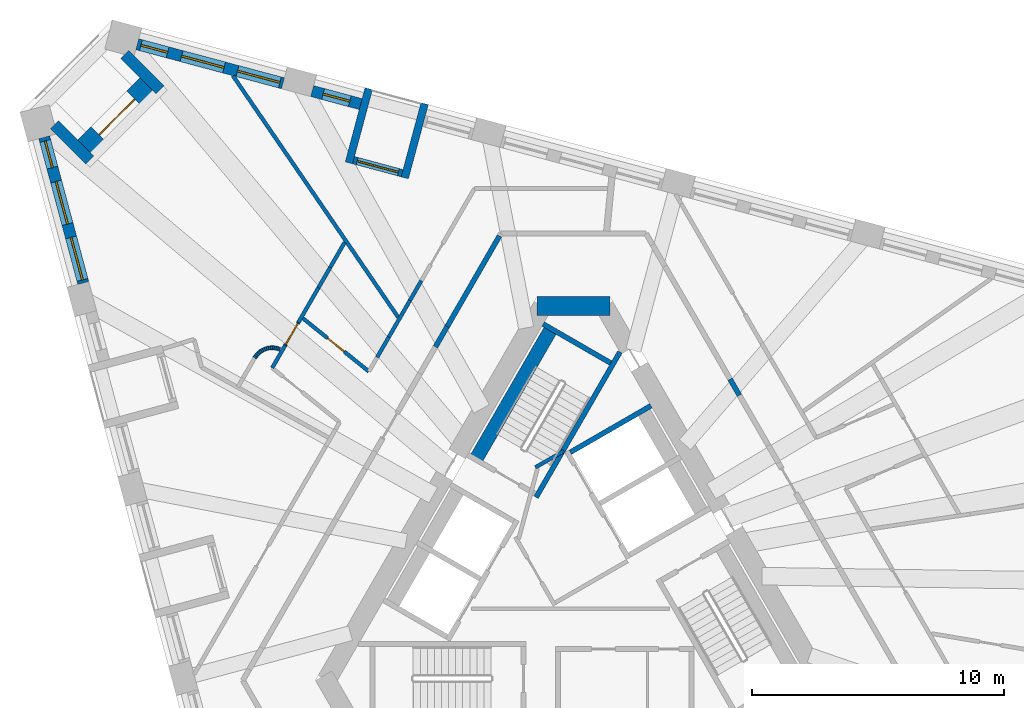
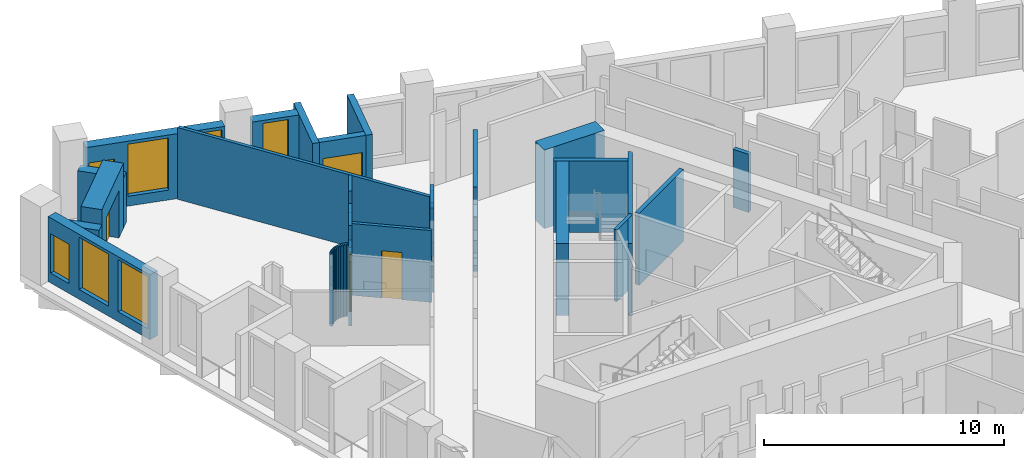
# One storey, part 7 of 13: 43 walls, 7 windows, 4 doors, 11 openings.
"""IFC4 building model written with IfcOpenShell, lengths in metres."""

from ifc_helpers import new_model, si_unit, direction, frame, frame_2d, origin, place, context, subcontext, project, spatial, rectangle, extrude, material, layer, layer_set, type_object, element, fill, save


model = new_model("IFC4")

# Units and contexts
model_context = context("Model", 3, precision=1e-05, world=origin(), true_north=direction((0.0, 1.0)))
body_context = subcontext(model_context, "Body", "Model", "MODEL_VIEW")
ifc_project = project(units=[si_unit("LENGTHUNIT", "METRE"), si_unit("AREAUNIT", "SQUARE_METRE"), si_unit("VOLUMEUNIT", "CUBIC_METRE"), si_unit("PLANEANGLEUNIT", "RADIAN"), si_unit("MASSUNIT", "GRAM", prefix="KILO")], contexts=[model_context])

# Site, building, storey
site_placement = place(None, origin())
site = spatial("IfcSite", under=ifc_project, at=site_placement, CompositionType="ELEMENT")
building_placement = place(site_placement, origin())
building = spatial("IfcBuilding", under=site, at=building_placement, Name="Tramontana Tower", CompositionType="ELEMENT")
storey_placement = place(building_placement, frame((0.0, 0.0, 220.0)))
storey = spatial("IfcBuildingStorey", under=building, at=storey_placement, Name="L51", CompositionType="ELEMENT", Elevation=220.0)

# Walls
ifc_material_1 = material(Name="Concrete 70 MPa", Category="concrete")
ifc_layer_1 = layer(ifc_material_1, 0.75)
ifc_layer_set_1 = layer_set([ifc_layer_1], Name="Core wall 750 70 MPa")
wall_type_1 = type_object("IfcWallType", Name="Core wall 750 70 MPa", PredefinedType="SHEAR", material=ifc_layer_set_1)
wall_1_placement = place(storey_placement, frame((1.443359375, 10.625, 0.0), z_axis=(0.0, 0.0, 1.0), x_axis=(-1.0, 0.0, 0.0)))
element("IfcWall", 1, at=wall_1_placement, inside=storey, type_object=wall_type_1, Name="Core wall C0 L51", PredefinedType="SHEAR", context=body_context, shape_type="SweptSolid", body=[
    extrude(rectangle(XDim=2.88671875, YDim=0.75, at=frame_2d((1.443359375, 0.0))), origin(), (0.0, 0.0, 1.0), 4.0),
])
ifc_material_2 = material(Name="Blockwork", Category="masonry")
ifc_layer_2 = layer(ifc_material_2, 0.199951171875)
ifc_layer_set_2 = layer_set([ifc_layer_2], Name="ENTRY WALL 200")
wall_type_2 = type_object("IfcWallType", Name="ENTRY WALL 200", PredefinedType="SOLIDWALL", material=ifc_layer_set_2)
wall_2_placement = place(storey_placement, frame((6.22412109375, 7.719482421875, 0.0), z_axis=(0.0, 0.0, 1.0), x_axis=(0.499931655587, -0.866064858854, 0.0)))
element("IfcWall", 2, at=wall_2_placement, inside=storey, type_object=wall_type_2, Name="Wall v51-ew0-3", PredefinedType="SOLIDWALL", context=body_context, shape_type="SweptSolid", body=[
    extrude(rectangle(XDim=0.74072265625, YDim=0.199951171875, at=frame_2d((0.370361328125, 0.0))), origin(), (0.0, 0.0, 1.0), 2.949951171875),
])
wall_3_placement = place(storey_placement, frame((-5.482666015625, 9.003662109375, 0.0), z_axis=(0.0, 0.0, 1.0), x_axis=(0.499971966783, 0.866041588165, 0.0)))
element("IfcWall", 3, at=wall_3_placement, inside=storey, type_object=wall_type_2, Name="Wall v51-ew4-11", PredefinedType="SOLIDWALL", context=body_context, shape_type="SweptSolid", body=[
    extrude(rectangle(XDim=0.931640625, YDim=0.199951171875, at=frame_2d((0.4658203125, 0.0))), origin(), (0.0, 0.0, 1.0), 2.75),
])
wall_4_placement = place(storey_placement, frame((-5.016845703125, 9.810546875, 0.0), z_axis=(0.0, 0.0, 1.0), x_axis=(0.499993700073, 0.866029041019, 0.0)))
element("IfcWall", 4, at=wall_4_placement, inside=storey, type_object=wall_type_2, Name="Wall v51-ew4-12", PredefinedType="SOLIDWALL", context=body_context, shape_type="SweptSolid", body=[
    extrude(rectangle(XDim=4.1552734375, YDim=0.199951171875, at=frame_2d((2.07763671875, 0.0))), origin(), (0.0, 0.0, 1.0), 3.64990234375),
])

# Wall, openings, windows
ifc_material_3 = material(Name="Precast concrete 60 MPa", Category="concrete")
ifc_layer_3 = layer(ifc_material_3, 0.449951171875)
ifc_layer_set_3 = layer_set([ifc_layer_3], Name="Precast concrete 60 MPa, 450 mm")
wall_type_3 = type_object("IfcWallType", Name="EW1 Stone-faced precast wall 450", PredefinedType="SOLIDWALL", material=ifc_layer_set_3)
wall_5_placement = place(storey_placement, frame((-21.027099609375, 17.3310546875, 0.0), z_axis=(0.0, 0.0, 1.0), x_axis=(0.258831089404, -0.965922598948, 0.0)))
wall_5 = element("IfcWall", 5, at=wall_5_placement, inside=storey, type_object=wall_type_3, Name="External wall L51 face 0 bay 1", PredefinedType="SOLIDWALL", context=body_context, shape_type="SweptSolid", body=[
    extrude(rectangle(XDim=5.994384765625, YDim=0.449951171875, at=frame_2d((2.9970703125, 0.0))), origin(), (0.0, 0.0, 1.0), 3.300048828125),
])
opening_1_placement = place(wall_5_placement, frame((0.14892578125, 0.0, 0.5)))
opening_1 = element("IfcOpeningElement", 6, at=opening_1_placement, cuts=wall_5, Name="Opening N2L", PredefinedType="OPENING", context=body_context, shape_type="SweptSolid", body=[
    extrude(rectangle(XDim=1.10009765625, YDim=2.0, at=frame_2d((0.550048828125, 1.0))), frame((0.0, 0.23486328125, 0.0), z_axis=(0.0, -1.0, 0.0), x_axis=(1.0, 0.0, 0.0)), (0.0, 0.0, 1.0), 0.469970703125),
])
opening_2_placement = place(wall_5_placement, frame((1.822021484375, 0.0, 0.5)))
opening_2 = element("IfcOpeningElement", 7, at=opening_2_placement, cuts=wall_5, Name="Opening M2", PredefinedType="OPENING", context=body_context, shape_type="SweptSolid", body=[
    extrude(rectangle(XDim=1.75, YDim=2.64990234375, at=frame_2d((0.875, 1.324951171875))), frame((0.0, 0.23486328125, 0.0), z_axis=(0.0, -1.0, 0.0), x_axis=(1.0, 0.0, 0.0)), (0.0, 0.0, 1.0), 0.469970703125),
])
opening_3_placement = place(wall_5_placement, frame((4.1201171875, 0.0, 0.5)))
opening_3 = element("IfcOpeningElement", 8, at=opening_3_placement, cuts=wall_5, Name="Opening M2", PredefinedType="OPENING", context=body_context, shape_type="SweptSolid", body=[
    extrude(rectangle(XDim=1.75, YDim=2.64990234375, at=frame_2d((0.875, 1.324951171875))), frame((0.0, 0.23486328125, 0.0), z_axis=(0.0, -1.0, 0.0), x_axis=(1.0, 0.0, 0.0)), (0.0, 0.0, 1.0), 0.469970703125),
])
ifc_material_4 = material(Name="Aluminum frame, double glazing unit", Category="aluminium")
window_type_1 = type_object("IfcWindowType", Name="M2 Window 1.75 x 2.65", PartitioningType="SINGLE_PANEL", PredefinedType="WINDOW", material=ifc_material_4)
window_1_placement = place(opening_2_placement, origin())
window_1 = element("IfcWindow", 9, at=window_1_placement, inside=storey, type_object=window_type_1, Name="Window M2 L51 face 0 module 2", OverallHeight=2.64990234375, OverallWidth=1.75, PartitioningType="SINGLE_PANEL", PredefinedType="WINDOW", context=body_context, shape_type="SweptSolid", body=[
    extrude(rectangle(XDim=1.75, YDim=2.64990234375, at=frame_2d((0.875, 1.324951171875))), frame((0.0, 0.030029296875, 0.0), z_axis=(0.0, -1.0, 0.0), x_axis=(1.0, 0.0, 0.0)), (0.0, 0.0, 1.0), 0.06005859375),
])
fill(opening_2, window_1)
window_2_placement = place(opening_3_placement, origin())
window_2 = element("IfcWindow", 10, at=window_2_placement, inside=storey, type_object=window_type_1, Name="Window M2 L51 face 0 module 3", OverallHeight=2.64990234375, OverallWidth=1.75, PartitioningType="SINGLE_PANEL", PredefinedType="WINDOW", context=body_context, shape_type="SweptSolid", body=[
    extrude(rectangle(XDim=1.75, YDim=2.64990234375, at=frame_2d((0.875, 1.324951171875))), frame((0.0, 0.030029296875, 0.0), z_axis=(0.0, -1.0, 0.0), x_axis=(1.0, 0.0, 0.0)), (0.0, 0.0, 1.0), 0.06005859375),
])
fill(opening_3, window_2)
ifc_material_5 = material(Name="Aluminum frame, double glazing unit", Category="aluminium")
window_type_2 = type_object("IfcWindowType", Name="N2L Window 1.1 x 2", PartitioningType="SINGLE_PANEL", PredefinedType="WINDOW", material=ifc_material_5)
window_3_placement = place(opening_1_placement, origin())
window_3 = element("IfcWindow", 11, at=window_3_placement, inside=storey, type_object=window_type_2, Name="Window N2L L51 face 0 module 1", OverallHeight=2.0, OverallWidth=1.10009765625, PartitioningType="SINGLE_PANEL", PredefinedType="WINDOW", context=body_context, shape_type="SweptSolid", body=[
    extrude(rectangle(XDim=1.10009765625, YDim=2.0, at=frame_2d((0.550048828125, 1.0))), frame((0.0, 0.030029296875, 0.0), z_axis=(0.0, -1.0, 0.0), x_axis=(1.0, 0.0, 0.0)), (0.0, 0.0, 1.0), 0.06005859375),
])
fill(opening_1, window_3)

# Wall, opening, window
wall_6_placement = place(storey_placement, frame((-8.451904296875, 18.64794921875, 0.0), z_axis=(0.0, 0.0, 1.0), x_axis=(-0.96593005298, 0.258803270362, 0.0)))
wall_6 = element("IfcWall", 12, at=wall_6_placement, inside=storey, type_object=wall_type_3, Name="External wall L51 face 2 bay 5", PredefinedType="SOLIDWALL", context=body_context, shape_type="SweptSolid", body=[
    extrude(rectangle(XDim=1.998046875, YDim=0.449951171875, at=frame_2d((0.9990234375, 0.0))), origin(), (0.0, 0.0, 1.0), 3.300048828125),
])
opening_4_placement = place(wall_6_placement, frame((0.448974609375, 0.0, 0.5)))
opening_4 = element("IfcOpeningElement", 13, at=opening_4_placement, cuts=wall_6, Name="Opening N2", PredefinedType="OPENING", context=body_context, shape_type="SweptSolid", body=[
    extrude(rectangle(XDim=1.10009765625, YDim=2.64990234375, at=frame_2d((0.550048828125, 1.324951171875))), frame((0.0, 0.23486328125, 0.0), z_axis=(0.0, -1.0, 0.0), x_axis=(1.0, 0.0, 0.0)), (0.0, 0.0, 1.0), 0.469970703125),
])
ifc_material_6 = material(Name="Aluminum frame, double glazing unit", Category="aluminium")
window_type_3 = type_object("IfcWindowType", Name="N2 Window 1.1 x 2.65", PartitioningType="SINGLE_PANEL", PredefinedType="WINDOW", material=ifc_material_6)
window_4_placement = place(opening_4_placement, origin())
window_4 = element("IfcWindow", 14, at=window_4_placement, inside=storey, type_object=window_type_3, Name="Window N2 L51 face 2 module 15", OverallHeight=2.64990234375, OverallWidth=1.10009765625, PartitioningType="SINGLE_PANEL", PredefinedType="WINDOW", context=body_context, shape_type="SweptSolid", body=[
    extrude(rectangle(XDim=1.10009765625, YDim=2.64990234375, at=frame_2d((0.550048828125, 1.324951171875))), frame((0.0, 0.030029296875, 0.0), z_axis=(0.0, -1.0, 0.0), x_axis=(1.0, 0.0, 0.0)), (0.0, 0.0, 1.0), 0.06005859375),
])
fill(opening_4, window_4)

# Wall, openings, windows
wall_7_placement = place(storey_placement, frame((-11.541015625, 19.4755859375, 0.0), z_axis=(0.0, 0.0, 1.0), x_axis=(-0.965922598948, 0.258831089404, 0.0)))
wall_7 = element("IfcWall", 15, at=wall_7_placement, inside=storey, type_object=wall_type_3, Name="External wall L51 face 2 bay 6", PredefinedType="SOLIDWALL", context=body_context, shape_type="SweptSolid", body=[
    extrude(rectangle(XDim=5.994384765625, YDim=0.449951171875, at=frame_2d((2.9970703125, 0.0))), origin(), (0.0, 0.0, 1.0), 3.300048828125),
])
opening_5_placement = place(wall_7_placement, frame((0.1240234375, 0.0, 0.5)))
opening_5 = element("IfcOpeningElement", 16, at=opening_5_placement, cuts=wall_7, Name="Opening M2", PredefinedType="OPENING", context=body_context, shape_type="SweptSolid", body=[
    extrude(rectangle(XDim=1.75, YDim=2.64990234375, at=frame_2d((0.875, 1.324951171875))), frame((0.0, 0.23486328125, 0.0), z_axis=(0.0, -1.0, 0.0), x_axis=(1.0, 0.0, 0.0)), (0.0, 0.0, 1.0), 0.469970703125),
])
opening_6_placement = place(wall_7_placement, frame((2.422119140625, 0.0, 0.5)))
opening_6 = element("IfcOpeningElement", 17, at=opening_6_placement, cuts=wall_7, Name="Opening M2", PredefinedType="OPENING", context=body_context, shape_type="SweptSolid", body=[
    extrude(rectangle(XDim=1.75, YDim=2.64990234375, at=frame_2d((0.875, 1.324951171875))), frame((0.0, 0.23486328125, 0.0), z_axis=(0.0, -1.0, 0.0), x_axis=(1.0, 0.0, 0.0)), (0.0, 0.0, 1.0), 0.469970703125),
])
opening_7_placement = place(wall_7_placement, frame((4.7451171875, 0.0, 0.5)))
opening_7 = element("IfcOpeningElement", 18, at=opening_7_placement, cuts=wall_7, Name="Opening N2L", PredefinedType="OPENING", context=body_context, shape_type="SweptSolid", body=[
    extrude(rectangle(XDim=1.10009765625, YDim=2.0, at=frame_2d((0.550048828125, 1.0))), frame((0.0, 0.23486328125, 0.0), z_axis=(0.0, -1.0, 0.0), x_axis=(1.0, 0.0, 0.0)), (0.0, 0.0, 1.0), 0.469970703125),
])
window_5_placement = place(opening_5_placement, origin())
window_5 = element("IfcWindow", 19, at=window_5_placement, inside=storey, type_object=window_type_1, Name="Window M2 L51 face 2 module 16", OverallHeight=2.64990234375, OverallWidth=1.75, PartitioningType="SINGLE_PANEL", PredefinedType="WINDOW", context=body_context, shape_type="SweptSolid", body=[
    extrude(rectangle(XDim=1.75, YDim=2.64990234375, at=frame_2d((0.875, 1.324951171875))), frame((0.0, 0.030029296875, 0.0), z_axis=(0.0, -1.0, 0.0), x_axis=(1.0, 0.0, 0.0)), (0.0, 0.0, 1.0), 0.06005859375),
])
fill(opening_5, window_5)
window_6_placement = place(opening_6_placement, origin())
window_6 = element("IfcWindow", 20, at=window_6_placement, inside=storey, type_object=window_type_1, Name="Window M2 L51 face 2 module 17", OverallHeight=2.64990234375, OverallWidth=1.75, PartitioningType="SINGLE_PANEL", PredefinedType="WINDOW", context=body_context, shape_type="SweptSolid", body=[
    extrude(rectangle(XDim=1.75, YDim=2.64990234375, at=frame_2d((0.875, 1.324951171875))), frame((0.0, 0.030029296875, 0.0), z_axis=(0.0, -1.0, 0.0), x_axis=(1.0, 0.0, 0.0)), (0.0, 0.0, 1.0), 0.06005859375),
])
fill(opening_6, window_6)
window_7_placement = place(opening_7_placement, origin())
window_7 = element("IfcWindow", 21, at=window_7_placement, inside=storey, type_object=window_type_2, Name="Window N2L L51 face 2 module 18", OverallHeight=2.0, OverallWidth=1.10009765625, PartitioningType="SINGLE_PANEL", PredefinedType="WINDOW", context=body_context, shape_type="SweptSolid", body=[
    extrude(rectangle(XDim=1.10009765625, YDim=2.0, at=frame_2d((0.550048828125, 1.0))), frame((0.0, 0.030029296875, 0.0), z_axis=(0.0, -1.0, 0.0), x_axis=(1.0, 0.0, 0.0)), (0.0, 0.0, 1.0), 0.06005859375),
])
fill(opening_7, window_7)

# Walls
for number, where, z_axis, x_axis, name in (
    (22, (-20.615234375, 17.822021484375, 0.0), (0.0, 0.0, 1.0), (0.70716845375, -0.707045103244, 0.0), "Corner loggia side wall L51 K50l"),
    (23, (-17.822021484375, 20.615234375, 0.0), (0.0, 0.0, 1.0), (0.707045103244, -0.70716845375, 0.0), "Corner loggia side wall L51 K50r"),
):
    element("IfcWall", number, at=place(storey_placement, frame(where, z_axis=z_axis, x_axis=x_axis)), inside=storey, type_object=wall_type_3, Name=name, PredefinedType="SOLIDWALL", context=body_context, shape_type="SweptSolid", body=[
        extrude(rectangle(XDim=1.979248046875, YDim=0.449951171875, at=frame_2d((0.98974609375, 0.0))), origin(), (0.0, 0.0, 1.0), 2.550048828125),
    ])

# Wall, opening, door
ifc_material_7 = material(Name="Precast concrete 60 MPa", Category="concrete")
ifc_layer_4 = layer(ifc_material_7, 0.89990234375)
ifc_layer_set_4 = layer_set([ifc_layer_4], Name="EW2 Stone-faced corner loggia wall 900")
wall_type_4 = type_object("IfcWallType", Name="EW2 Stone-faced corner loggia wall 900", PredefinedType="SOLIDWALL", material=ifc_layer_set_4)
wall_8_placement = place(storey_placement, frame((-19.374755859375, 16.89990234375, 0.0), z_axis=(0.0, 0.0, 1.0), x_axis=(0.707106781187, 0.707106781187, 0.0)))
wall_8 = element("IfcWall", 24, at=wall_8_placement, inside=storey, type_object=wall_type_4, Name="Corner loggia wall L51 K50", PredefinedType="SOLIDWALL", context=body_context, shape_type="SweptSolid", body=[
    extrude(rectangle(XDim=3.5, YDim=0.89990234375, at=frame_2d((1.75, 0.0))), origin(), (0.0, 0.0, 1.0), 3.300048828125),
])
opening_8_placement = place(wall_8_placement, frame((0.75, 0.0, 0.0)))
opening_8 = element("IfcOpeningElement", 25, at=opening_8_placement, cuts=wall_8, Name="Opening BD-50C", PredefinedType="OPENING", context=body_context, shape_type="SweptSolid", body=[
    extrude(rectangle(XDim=2.0, YDim=2.39990234375, at=frame_2d((1.0, 1.199951171875))), frame((0.0, 0.4599609375, 0.0), z_axis=(0.0, -1.0, 0.0), x_axis=(1.0, 0.0, 0.0)), (0.0, 0.0, 1.0), 0.919921875),
])
ifc_material_8 = material(Name="Aluminum frame, double glazing unit", Category="aluminium")
door_type_1 = type_object("IfcDoorType", Name="BC1 Sliding door 2 x 2.4", OperationType="SLIDING_TO_LEFT", PredefinedType="DOOR", material=ifc_material_8)
door_1_placement = place(opening_8_placement, origin())
door_1 = element("IfcDoor", 26, at=door_1_placement, inside=storey, type_object=door_type_1, Name="Corner loggia door L51 K50", OperationType="SLIDING_TO_LEFT", OverallHeight=2.39990234375, OverallWidth=2.0, PredefinedType="DOOR", context=body_context, shape_type="SweptSolid", body=[
    extrude(rectangle(XDim=2.0, YDim=2.39990234375, at=frame_2d((1.0, 1.199951171875))), frame((0.0, 0.02490234375, 0.0), z_axis=(0.0, -1.0, 0.0), x_axis=(1.0, 0.0, 0.0)), (0.0, 0.0, 1.0), 0.050048828125),
])
fill(opening_8, door_1)

ifc_material_9 = material(Name="Precast concrete 60 MPa", Category="concrete")
ifc_layer_5 = layer(ifc_material_9, 0.300048828125)
ifc_layer_set_5 = layer_set([ifc_layer_5], Name="LW1 Stone-faced loggia wall 300")
wall_type_5 = type_object("IfcWallType", Name="LW1 Stone-faced loggia wall 300", PredefinedType="SOLIDWALL", material=ifc_layer_set_5)
wall_9_placement = place(storey_placement, frame((-6.80810546875, 15.904052734375, 0.0), z_axis=(0.0, 0.0, 1.0), x_axis=(-0.96593005298, 0.258803270362, 0.0)))
wall_9 = element("IfcWall", 27, at=wall_9_placement, inside=storey, type_object=wall_type_5, Name="Loggia wall L51 G5S2.13", PredefinedType="SOLIDWALL", context=body_context, shape_type="SweptSolid", body=[
    extrude(rectangle(XDim=1.998046875, YDim=0.300048828125, at=frame_2d((0.9990234375, 0.0))), origin(), (0.0, 0.0, 1.0), 3.300048828125),
])
opening_9_placement = place(wall_9_placement, frame((0.14892578125, 0.0, 0.0)))
opening_9 = element("IfcOpeningElement", 28, at=opening_9_placement, cuts=wall_9, Name="Opening BD-5S2-13", PredefinedType="OPENING", context=body_context, shape_type="SweptSolid", body=[
    extrude(rectangle(XDim=1.699951171875, YDim=2.449951171875, at=frame_2d((0.85009765625, 1.22509765625))), frame((0.0, 0.159912109375, 0.0), z_axis=(0.0, -1.0, 0.0), x_axis=(1.0, 0.0, 0.0)), (0.0, 0.0, 1.0), 0.320068359375),
])
ifc_material_10 = material(Name="Aluminum frame, double glazing unit", Category="aluminium")
door_type_2 = type_object("IfcDoorType", Name="BD2 Sliding door 1.7 x 2.45", OperationType="SLIDING_TO_LEFT", PredefinedType="DOOR", material=ifc_material_10)
door_2_placement = place(opening_9_placement, origin())
door_2 = element("IfcDoor", 29, at=door_2_placement, inside=storey, type_object=door_type_2, Name="Loggia door L51 G5S2.13", OperationType="SLIDING_TO_LEFT", OverallHeight=2.449951171875, OverallWidth=1.699951171875, PredefinedType="DOOR", context=body_context, shape_type="SweptSolid", body=[
    extrude(rectangle(XDim=1.699951171875, YDim=2.449951171875, at=frame_2d((0.85009765625, 1.22509765625))), frame((0.0, 0.02490234375, 0.0), z_axis=(0.0, -1.0, 0.0), x_axis=(1.0, 0.0, 0.0)), (0.0, 0.0, 1.0), 0.050048828125),
])
fill(opening_9, door_2)

# Walls
wall_10_placement = place(storey_placement, frame((-5.91259765625, 18.666259765625, 0.0), z_axis=(0.0, 0.0, 1.0), x_axis=(-0.258793435045, -0.965932688119, 0.0)))
element("IfcWall", 30, at=wall_10_placement, inside=storey, type_object=wall_type_5, Name="Loggia return L51 G5S2.13a", PredefinedType="SOLIDWALL", context=body_context, shape_type="SweptSolid", body=[
    extrude(rectangle(XDim=3.050048828125, YDim=0.300048828125, at=frame_2d((1.52490234375, 0.0))), origin(), (0.0, 0.0, 1.0), 3.300048828125),
])
wall_11_placement = place(storey_placement, frame((-8.13232421875, 19.26123046875, 0.0), z_axis=(0.0, 0.0, 1.0), x_axis=(-0.25877342651, -0.9659380486, 0.0)))
element("IfcWall", 31, at=wall_11_placement, inside=storey, type_object=wall_type_5, Name="Loggia return L51 G5S2.13b", PredefinedType="SOLIDWALL", context=body_context, shape_type="SweptSolid", body=[
    extrude(rectangle(XDim=3.05029296875, YDim=0.300048828125, at=frame_2d((1.525146484375, 0.0))), origin(), (0.0, 0.0, 1.0), 3.300048828125),
])
ifc_material_11 = material(Name="Gypsum board partition")
ifc_layer_6 = layer(ifc_material_11, 0.14990234375)
ifc_layer_set_6 = layer_set([ifc_layer_6], Name="PARTITION 150")
wall_type_6 = type_object("IfcWallType", Name="PARTITION 150", PredefinedType="PARTITIONING", material=ifc_layer_set_6)
wall_12_placement = place(storey_placement, frame((-1.509765625, 4.21484375, 0.0), z_axis=(0.0, 0.0, 1.0), x_axis=(0.866085525409, 0.49989585183, 0.0)))
element("IfcWall", 32, at=wall_12_placement, inside=storey, type_object=wall_type_6, Name="Wall ff-end1", PredefinedType="PARTITIONING", context=body_context, shape_type="SweptSolid", body=[
    extrude(rectangle(XDim=1.300048828125, YDim=0.14990234375, at=frame_2d((0.64990234375, 0.0))), origin(), (0.0, 0.0, 1.0), 3.64990234375),
])
wall_13_placement = place(storey_placement, frame((-13.529296875, 19.775390625, 0.0), z_axis=(0.0, 0.0, 1.0), x_axis=(0.564646262408, -0.825333022694, 0.0)))
element("IfcWall", 33, at=wall_13_placement, inside=storey, type_object=wall_type_6, Name="Wall v51-pw04", PredefinedType="PARTITIONING", context=body_context, shape_type="SweptSolid", body=[
    extrude(rectangle(XDim=11.622314453125, YDim=0.14990234375, at=frame_2d((5.81103515625, 0.0))), origin(), (0.0, 0.0, 1.0), 3.64990234375),
])
for number, where, z_axis, x_axis, name in (
    (34, (-12.6630859375, 8.567138671875, 0.0), (0.0, 0.0, 1.0), (0.542854007109, 0.839827081586, 0.0), "Wall v51-pw06"),
    (35, (-12.62158203125, 8.631591796875, 0.0), (0.0, 0.0, 1.0), (0.619230234747, 0.785209472927, 0.0), "Wall v51-pw07"),
    (36, (-12.573974609375, 8.69189453125, 0.0), (0.0, 0.0, 1.0), (0.690932080847, 0.722919677182, 0.0), "Wall v51-pw08"),
    (37, (-12.52099609375, 8.7470703125, 0.0), (0.0, 0.0, 1.0), (0.7563204967, 0.654201273517, 0.0), "Wall v51-pw09"),
):
    element("IfcWall", number, at=place(storey_placement, frame(where, z_axis=z_axis, x_axis=x_axis)), inside=storey, type_object=wall_type_6, Name=name, PredefinedType="PARTITIONING", context=body_context, shape_type="SweptSolid", body=[
        extrude(rectangle(XDim=0.076416015625, YDim=0.14990234375, at=frame_2d((0.0380859375, 0.0))), origin(), (0.0, 0.0, 1.0), 3.64990234375),
    ])
wall_14_placement = place(storey_placement, frame((-12.462890625, 8.79736328125, 0.0), z_axis=(0.0, 0.0, 1.0), x_axis=(0.816967863265, 0.576683197599, 0.0)))
element("IfcWall", 38, at=wall_14_placement, inside=storey, type_object=wall_type_6, Name="Wall v51-pw10", PredefinedType="PARTITIONING", context=body_context, shape_type="SweptSolid", body=[
    extrude(rectangle(XDim=0.076171875, YDim=0.14990234375, at=frame_2d((0.0380859375, 0.0))), origin(), (0.0, 0.0, 1.0), 3.64990234375),
])
wall_15_placement = place(storey_placement, frame((-12.400390625, 8.841552734375, 0.0), z_axis=(0.0, 0.0, 1.0), x_axis=(0.868832233958, 0.49510660391, 0.0)))
element("IfcWall", 39, at=wall_15_placement, inside=storey, type_object=wall_type_6, Name="Wall v51-pw11", PredefinedType="PARTITIONING", context=body_context, shape_type="SweptSolid", body=[
    extrude(rectangle(XDim=0.076416015625, YDim=0.14990234375, at=frame_2d((0.0380859375, 0.0))), origin(), (0.0, 0.0, 1.0), 3.64990234375),
])
wall_16_placement = place(storey_placement, frame((-12.333984375, 8.879638671875, 0.0), z_axis=(0.0, 0.0, 1.0), x_axis=(0.91156333447, 0.411159685827, 0.0)))
element("IfcWall", 40, at=wall_16_placement, inside=storey, type_object=wall_type_6, Name="Wall v51-pw12", PredefinedType="PARTITIONING", context=body_context, shape_type="SweptSolid", body=[
    extrude(rectangle(XDim=0.07666015625, YDim=0.14990234375, at=frame_2d((0.038330078125, 0.0))), origin(), (0.0, 0.0, 1.0), 3.64990234375),
])
for number, where, z_axis, x_axis, name in (
    (41, (-12.263916015625, 8.9111328125, 0.0), (0.0, 0.0, 1.0), (0.946421377636, 0.322934321423, 0.0), "Wall v51-pw13"),
    (42, (-12.19140625, 8.935791015625, 0.0), (0.0, 0.0, 1.0), (0.973249512577, 0.229750704608, 0.0), "Wall v51-pw14"),
):
    element("IfcWall", number, at=place(storey_placement, frame(where, z_axis=z_axis, x_axis=x_axis)), inside=storey, type_object=wall_type_6, Name=name, PredefinedType="PARTITIONING", context=body_context, shape_type="SweptSolid", body=[
        extrude(rectangle(XDim=0.076416015625, YDim=0.14990234375, at=frame_2d((0.0380859375, 0.0))), origin(), (0.0, 0.0, 1.0), 3.64990234375),
    ])
wall_17_placement = place(storey_placement, frame((-12.116943359375, 8.953369140625, 0.0), z_axis=(0.0, 0.0, 1.0), x_axis=(0.990576477172, 0.136960734786, 0.0)))
element("IfcWall", 43, at=wall_17_placement, inside=storey, type_object=wall_type_6, Name="Wall v51-pw15", PredefinedType="PARTITIONING", context=body_context, shape_type="SweptSolid", body=[
    extrude(rectangle(XDim=0.07666015625, YDim=0.14990234375, at=frame_2d((0.038330078125, 0.0))), origin(), (0.0, 0.0, 1.0), 3.64990234375),
])
wall_18_placement = place(storey_placement, frame((-12.041015625, 8.9638671875, 0.0), z_axis=(0.0, 0.0, 1.0), x_axis=(0.999138596568, 0.041497769187, 0.0)))
element("IfcWall", 44, at=wall_18_placement, inside=storey, type_object=wall_type_6, Name="Wall v51-pw16", PredefinedType="PARTITIONING", context=body_context, shape_type="SweptSolid", body=[
    extrude(rectangle(XDim=0.076416015625, YDim=0.14990234375, at=frame_2d((0.0380859375, 0.0))), origin(), (0.0, 0.0, 1.0), 3.64990234375),
])
wall_19_placement = place(storey_placement, frame((-11.97021484375, 8.167236328125, 0.0), z_axis=(0.0, 0.0, 1.0), x_axis=(0.500089298231, 0.865973841288, 0.0)))
element("IfcWall", 45, at=wall_19_placement, inside=storey, type_object=wall_type_6, Name="Wall v51-pw17-0", PredefinedType="PARTITIONING", context=body_context, shape_type="SweptSolid", body=[
    extrude(rectangle(XDim=1.036865234375, YDim=0.14990234375, at=frame_2d((0.5185546875, 0.0))), origin(), (0.0, 0.0, 1.0), 3.64990234375),
])

# Wall, opening, door
wall_20_placement = place(storey_placement, frame((-11.45166015625, 9.065185546875, 0.0), z_axis=(0.0, 0.0, 1.0), x_axis=(0.499990860175, 0.866030680601, 0.0)))
wall_20 = element("IfcWall", 46, at=wall_20_placement, inside=storey, type_object=wall_type_6, Name="Wall v51-pw17-1", PredefinedType="PARTITIONING", context=body_context, shape_type="SweptSolid", body=[
    extrude(rectangle(XDim=1.0498046875, YDim=0.14990234375, at=frame_2d((0.52490234375, 0.0))), origin(), (0.0, 0.0, 1.0), 2.550048828125),
])
opening_10_placement = place(wall_20_placement, frame((0.050048828125, 0.0, 0.0)))
opening_10 = element("IfcOpeningElement", 47, at=opening_10_placement, cuts=wall_20, Name="Opening B5B-03", PredefinedType="OPENING", context=body_context, shape_type="SweptSolid", body=[
    extrude(rectangle(XDim=0.949951171875, YDim=2.39990234375, at=frame_2d((0.47509765625, 1.199951171875))), frame((0.0, 0.0849609375, 0.0), z_axis=(0.0, -1.0, 0.0), x_axis=(1.0, 0.0, 0.0)), (0.0, 0.0, 1.0), 0.169921875),
])
ifc_material_12 = material(Name="Painted timber", Category="wood")
door_type_3 = type_object("IfcDoorType", Name="DOOR ROOM 950", OperationType="SINGLE_SWING_LEFT", PredefinedType="DOOR", material=ifc_material_12)
door_3_placement = place(opening_10_placement, origin())
door_3 = element("IfcDoor", 48, at=door_3_placement, inside=storey, type_object=door_type_3, Name="Door B5B-03", OperationType="SINGLE_SWING_LEFT", OverallHeight=2.39990234375, OverallWidth=0.949951171875, PredefinedType="DOOR", context=body_context, shape_type="SweptSolid", body=[
    extrude(rectangle(XDim=0.949951171875, YDim=2.39990234375, at=frame_2d((0.47509765625, 1.199951171875))), frame((0.0, 0.02490234375, 0.0), z_axis=(0.0, -1.0, 0.0), x_axis=(1.0, 0.0, 0.0)), (0.0, 0.0, 1.0), 0.050048828125),
])
fill(opening_10, door_3)

# Walls
wall_21_placement = place(storey_placement, frame((-10.9267578125, 9.974365234375, 0.0), z_axis=(0.0, 0.0, 1.0), x_axis=(0.500075994846, 0.865981523694, 0.0)))
element("IfcWall", 49, at=wall_21_placement, inside=storey, type_object=wall_type_6, Name="Wall v51-pw17-2", PredefinedType="PARTITIONING", context=body_context, shape_type="SweptSolid", body=[
    extrude(rectangle(XDim=1.593994140625, YDim=0.14990234375, at=frame_2d((0.796875, 0.0))), origin(), (0.0, 0.0, 1.0), 3.64990234375),
])
wall_22_placement = place(storey_placement, frame((-10.129638671875, 11.354736328125, 0.0), z_axis=(0.0, 0.0, 1.0), x_axis=(0.500032811619, 0.866006459158, 0.0)))
element("IfcWall", 50, at=wall_22_placement, inside=storey, type_object=wall_type_6, Name="Wall v51-pw17-3", PredefinedType="PARTITIONING", context=body_context, shape_type="SweptSolid", body=[
    extrude(rectangle(XDim=0.9306640625, YDim=0.14990234375, at=frame_2d((0.46533203125, 0.0))), origin(), (0.0, 0.0, 1.0), 2.550048828125),
])
wall_23_placement = place(storey_placement, frame((-9.664306640625, 12.16064453125, 0.0), z_axis=(0.0, 0.0, 1.0), x_axis=(0.499937302424, 0.866061599221, 0.0)))
element("IfcWall", 51, at=wall_23_placement, inside=storey, type_object=wall_type_6, Name="Wall v51-pw17-4", PredefinedType="PARTITIONING", context=body_context, shape_type="SweptSolid", body=[
    extrude(rectangle(XDim=1.147705078125, YDim=0.14990234375, at=frame_2d((0.57373046875, 0.0))), origin(), (0.0, 0.0, 1.0), 3.64990234375),
])
for number, where, z_axis, x_axis, name in (
    (52, (-11.96435546875, 8.967041015625, 0.0), (0.0, 0.0, 1.0), (0.998528298879, -0.054233166393, 0.0), "Wall v51-pw18"),
    (53, (-11.8876953125, 8.962890625, 0.0), (0.0, 0.0, 1.0), (0.988629179635, -0.150374017614, 0.0), "Wall v51-pw19"),
    (54, (-11.81201171875, 8.951171875, 0.0), (0.0, 0.0, 1.0), (0.970142500145, -0.242535625036, 0.0), "Wall v51-pw20"),
    (55, (-11.737548828125, 8.9326171875, 0.0), (0.0, 0.0, 1.0), (0.940724143064, -0.33917265022, 0.0), "Wall v51-pw21"),
):
    element("IfcWall", number, at=place(storey_placement, frame(where, z_axis=z_axis, x_axis=x_axis)), inside=storey, type_object=wall_type_6, Name=name, PredefinedType="PARTITIONING", context=body_context, shape_type="SweptSolid", body=[
        extrude(rectangle(XDim=0.076416015625, YDim=0.14990234375, at=frame_2d((0.0380859375, 0.0))), origin(), (0.0, 0.0, 1.0), 3.64990234375),
    ])

# Wall, opening, door
wall_24_placement = place(storey_placement, frame((-10.7470703125, 10.13525390625, 0.0), z_axis=(0.0, 0.0, 1.0), x_axis=(0.778724340169, -0.627366242341, 0.0)))
wall_24 = element("IfcWall", 56, at=wall_24_placement, inside=storey, type_object=wall_type_6, Name="Wall v51-pw25", PredefinedType="PARTITIONING", context=body_context, shape_type="SweptSolid", body=[
    extrude(rectangle(XDim=3.361572265625, YDim=0.14990234375, at=frame_2d((1.6806640625, 0.0))), origin(), (0.0, 0.0, 1.0), 3.64990234375),
])
opening_11_placement = place(wall_24_placement, frame((1.255859375, 0.0, 0.0)))
opening_11 = element("IfcOpeningElement", 57, at=opening_11_placement, cuts=wall_24, Name="Opening B5B-02", PredefinedType="OPENING", context=body_context, shape_type="SweptSolid", body=[
    extrude(rectangle(XDim=0.85009765625, YDim=2.39990234375, at=frame_2d((0.425048828125, 1.199951171875))), frame((0.0, 0.0849609375, 0.0), z_axis=(0.0, -1.0, 0.0), x_axis=(1.0, 0.0, 0.0)), (0.0, 0.0, 1.0), 0.169921875),
])
ifc_material_13 = material(Name="Painted timber", Category="wood")
door_type_4 = type_object("IfcDoorType", Name="DOOR BATH 850", OperationType="SINGLE_SWING_LEFT", PredefinedType="DOOR", material=ifc_material_13)
door_4_placement = place(opening_11_placement, origin())
door_4 = element("IfcDoor", 58, at=door_4_placement, inside=storey, type_object=door_type_4, Name="Door B5B-02", OperationType="SINGLE_SWING_RIGHT", OverallHeight=2.39990234375, OverallWidth=0.85009765625, PredefinedType="DOOR", context=body_context, shape_type="SweptSolid", body=[
    extrude(rectangle(XDim=0.85009765625, YDim=2.39990234375, at=frame_2d((0.425048828125, 1.199951171875))), frame((0.0, 0.02490234375, 0.0), z_axis=(0.0, -1.0, 0.0), x_axis=(1.0, 0.0, 0.0)), (0.0, 0.0, 1.0), 0.050048828125),
])
fill(opening_11, door_4)

# Walls
wall_25_placement = place(storey_placement, frame((-7.801025390625, 8.58837890625, 0.0), z_axis=(0.0, 0.0, 1.0), x_axis=(0.500032811619, 0.866006459158, 0.0)))
element("IfcWall", 59, at=wall_25_placement, inside=storey, type_object=wall_type_6, Name="Wall v51-pw29-1", PredefinedType="PARTITIONING", context=body_context, shape_type="SweptSolid", body=[
    extrude(rectangle(XDim=0.9306640625, YDim=0.14990234375, at=frame_2d((0.46533203125, 0.0))), origin(), (0.0, 0.0, 1.0), 2.550048828125),
])
wall_26_placement = place(storey_placement, frame((-7.335693359375, 9.394287109375, 0.0), z_axis=(0.0, 0.0, 1.0), x_axis=(0.499974444137, 0.866040157966, 0.0)))
element("IfcWall", 60, at=wall_26_placement, inside=storey, type_object=wall_type_6, Name="Wall v51-pw29-2", PredefinedType="PARTITIONING", context=body_context, shape_type="SweptSolid", body=[
    extrude(rectangle(XDim=1.67724609375, YDim=0.14990234375, at=frame_2d((0.838623046875, 0.0))), origin(), (0.0, 0.0, 1.0), 3.64990234375),
])
wall_27_placement = place(storey_placement, frame((-6.4970703125, 10.846923828125, 0.0), z_axis=(0.0, 0.0, 1.0), x_axis=(0.500065807255, 0.865987406614, 0.0)))
element("IfcWall", 61, at=wall_27_placement, inside=storey, type_object=wall_type_6, Name="Wall v51-pw29-3", PredefinedType="PARTITIONING", context=body_context, shape_type="SweptSolid", body=[
    extrude(rectangle(XDim=0.90283203125, YDim=0.14990234375, at=frame_2d((0.451416015625, 0.0))), origin(), (0.0, 0.0, 1.0), 2.75),
])
ifc_material_14 = material(Name="Concrete 70 MPa", Category="concrete")
ifc_layer_7 = layer(ifc_material_14, 0.550048828125)
ifc_layer_set_7 = layer_set([ifc_layer_7], Name="Concrete 70 MPa, 550 mm")
wall_type_7 = type_object("IfcWallType", Name="RC SHAFT BACK WALL 550", PredefinedType="SOLIDWALL", material=ifc_layer_set_7)
wall_28_placement = place(storey_placement, frame((-0.831298828125, 9.81005859375, 0.0), z_axis=(0.0, 0.0, 1.0), x_axis=(-0.500009909098, -0.866019682689, 0.0)))
element("IfcWall", 62, at=wall_28_placement, inside=storey, type_object=wall_type_7, Name="Wall st1-back", PredefinedType="SOLIDWALL", context=body_context, shape_type="SweptSolid", body=[
    extrude(rectangle(XDim=6.199951171875, YDim=0.550048828125, at=frame_2d((3.10009765625, 0.0))), origin(), (0.0, 0.0, 1.0), 3.64990234375),
])
ifc_material_15 = material(Name="Concrete 70 MPa", Category="concrete")
ifc_layer_8 = layer(ifc_material_15, 0.199951171875)
ifc_layer_set_8 = layer_set([ifc_layer_8], Name="Concrete 70 MPa, 200 mm")
wall_type_8 = type_object("IfcWallType", Name="RC STAIR AND SHAFT WALL 200", PredefinedType="SOLIDWALL", material=ifc_layer_set_8)
wall_29_placement = place(storey_placement, frame((1.847412109375, 8.800048828125, 0.0), z_axis=(0.0, 0.0, 1.0), x_axis=(-0.499980354584, -0.866036745774, 0.0)))
element("IfcWall", 63, at=wall_29_placement, inside=storey, type_object=wall_type_8, Name="Wall st1-front", PredefinedType="SOLIDWALL", context=body_context, shape_type="SweptSolid", body=[
    extrude(rectangle(XDim=6.664794921875, YDim=0.199951171875, at=frame_2d((3.33251953125, 0.0))), origin(), (0.0, 0.0, 1.0), 3.64990234375),
])
wall_30_placement = place(storey_placement, frame((1.478515625, 8.36083984375, 0.0), z_axis=(0.0, 0.0, 1.0), x_axis=(-0.86600983753, 0.500026960575, 0.0)))
element("IfcWall", 64, at=wall_30_placement, inside=storey, type_object=wall_type_8, Name="Wall st1-far", PredefinedType="SOLIDWALL", context=body_context, shape_type="SweptSolid", body=[
    extrude(rectangle(XDim=3.099853515625, YDim=0.199951171875, at=frame_2d((1.5498046875, 0.0))), origin(), (0.0, 0.0, 1.0), 3.64990234375),
])
wall_31_placement = place(storey_placement, frame((-0.123046875, 4.813232421875, 0.0), z_axis=(0.0, 0.0, 1.0), x_axis=(0.866000971088, 0.500042316284, 0.0)))
element("IfcWall", 65, at=wall_31_placement, inside=storey, type_object=wall_type_8, Name="Wall row2-side2", PredefinedType="SOLIDWALL", context=body_context, shape_type="SweptSolid", body=[
    extrude(rectangle(XDim=3.699951171875, YDim=0.199951171875, at=frame_2d((1.85009765625, 0.0))), origin(), (0.0, 0.0, 1.0), 3.64990234375),
])

save(model, "model.ifc")
